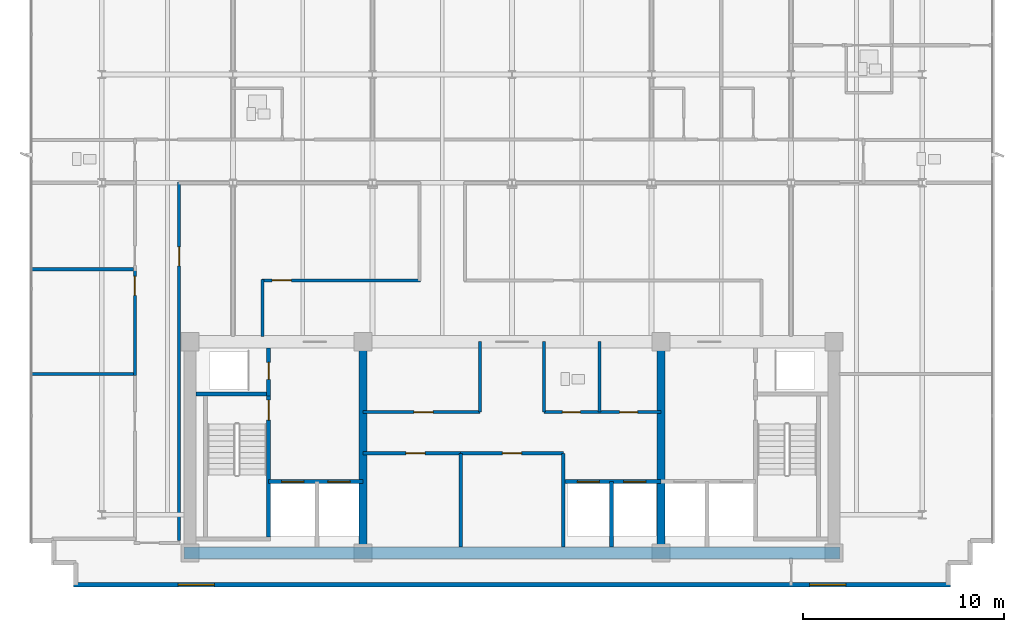
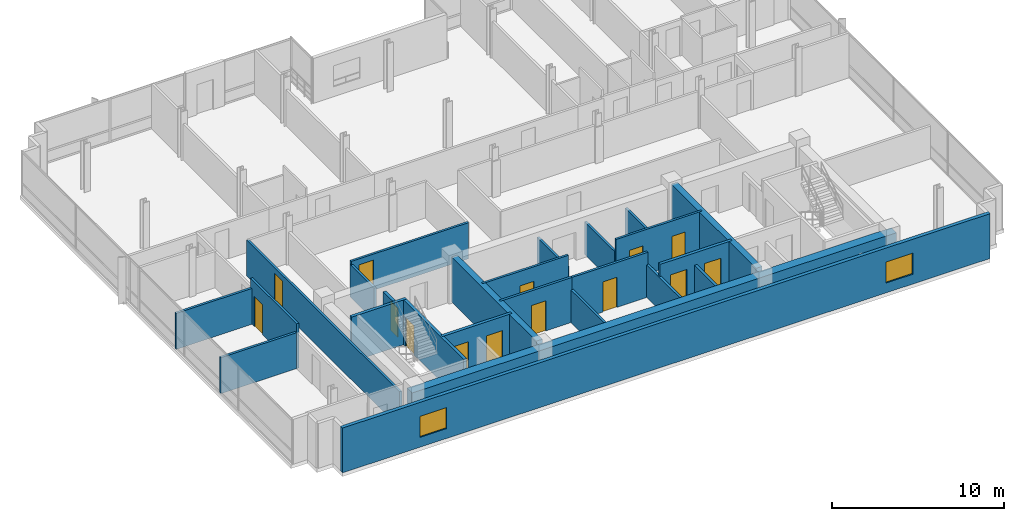
# One storey, part 11 of 17: 25 walls, 14 doors, 2 windows, 16 openings.
"""IFC4 building model written with IfcOpenShell, lengths in metres."""

from ifc_helpers import new_model, si_unit, direction, frame, frame_2d, origin, place, context, subcontext, project, spatial, rectangle, extrude, material, layer, layer_set, type_object, element, fill, save


model = new_model("IFC4")

# Units and contexts
model_context = context("Model", 3, precision=1e-05, world=origin(), true_north=direction((0.0, 1.0)))
body_context = subcontext(model_context, "Body", "Model", "MODEL_VIEW")
ifc_project = project(units=[si_unit("LENGTHUNIT", "METRE"), si_unit("AREAUNIT", "SQUARE_METRE"), si_unit("VOLUMEUNIT", "CUBIC_METRE"), si_unit("PLANEANGLEUNIT", "RADIAN"), si_unit("MASSUNIT", "GRAM", prefix="KILO")], contexts=[model_context])

# Site, building, storey
site_placement = place(None, origin())
site = spatial("IfcSite", under=ifc_project, at=site_placement, CompositionType="ELEMENT")
building_placement = place(site_placement, origin())
building = spatial("IfcBuilding", under=site, at=building_placement, Name="Solmavex Isthmus Hotel", CompositionType="ELEMENT")
storey_placement = place(building_placement, frame((0.0, 0.0, 269.550048828125)))
storey = spatial("IfcBuildingStorey", under=building, at=storey_placement, Name="L73", CompositionType="ELEMENT", Elevation=269.550048828125)

# Wall, openings, windows
ifc_material_1 = material(Name="Precast Concrete C40/50", Category="concrete")
ifc_layer_1 = layer(ifc_material_1, 0.25)
ifc_layer_set_1 = layer_set([ifc_layer_1], Name="Precast Concrete C40/50")
wall_type_1 = type_object("IfcWallType", Name="EW-TWR-250", PredefinedType="STANDARD", material=ifc_layer_set_1)
wall_1_placement = place(storey_placement, frame((-21.800048828125, -14.580078125, 0.0), z_axis=(0.0, 0.0, 1.0), x_axis=(1.0, 0.0, 0.0)))
wall_1 = element("IfcWall", 1, at=wall_1_placement, inside=storey, type_object=wall_type_1, Name="Tower Rear South Facade Wall L73", PredefinedType="STANDARD", context=body_context, shape_type="SweptSolid", body=[
    extrude(rectangle(XDim=43.60009765625, YDim=0.239990234375, at=frame_2d((21.800048828125, 0.0))), origin(), (0.0, 0.0, 1.0), 3.18994140625),
])
opening_1_placement = place(wall_1_placement, frame((5.2041015625, 0.0, 0.699951171875)))
opening_1 = element("IfcOpeningElement", 2, at=opening_1_placement, cuts=wall_1, Name="Opening WN-02", PredefinedType="OPENING", context=body_context, shape_type="SweptSolid", body=[
    extrude(rectangle(XDim=1.800048828125, YDim=1.5, at=frame_2d((0.89990234375, 0.75))), frame((0.0, 0.1298828125, 0.0), z_axis=(0.0, -1.0, 0.0), x_axis=(1.0, 0.0, 0.0)), (0.0, 0.0, 1.0), 0.260009765625),
])
opening_2_placement = place(wall_1_placement, frame((36.595947265625, 0.0, 0.699951171875)))
opening_2 = element("IfcOpeningElement", 3, at=opening_2_placement, cuts=wall_1, Name="Opening WN-02", PredefinedType="OPENING", context=body_context, shape_type="SweptSolid", body=[
    extrude(rectangle(XDim=1.800048828125, YDim=1.5, at=frame_2d((0.89990234375, 0.75))), frame((0.0, 0.1298828125, 0.0), z_axis=(0.0, -1.0, 0.0), x_axis=(1.0, 0.0, 0.0)), (0.0, 0.0, 1.0), 0.260009765625),
])
ifc_material_2 = material(Name="Clear low-E laminated glass", Category="glass")
window_type = type_object("IfcWindowType", Name="WIN-TWR-1800", PartitioningType="SINGLE_PANEL", PredefinedType="WINDOW", material=ifc_material_2)
window_1_placement = place(opening_1_placement, origin())
window_1 = element("IfcWindow", 4, at=window_1_placement, inside=storey, type_object=window_type, Name="South Facade Vision Window L73-S1", OverallHeight=1.5, OverallWidth=1.800048828125, PartitioningType="SINGLE_PANEL", PredefinedType="WINDOW", context=body_context, shape_type="SweptSolid", body=[
    extrude(rectangle(XDim=1.800048828125, YDim=1.5, at=frame_2d((0.89990234375, 0.75))), frame((0.0, 0.030029296875, 0.0), z_axis=(0.0, -1.0, 0.0), x_axis=(1.0, 0.0, 0.0)), (0.0, 0.0, 1.0), 0.06005859375),
])
fill(opening_1, window_1)
window_2_placement = place(opening_2_placement, origin())
window_2 = element("IfcWindow", 5, at=window_2_placement, inside=storey, type_object=window_type, Name="South Facade Vision Window L73-S2", OverallHeight=1.5, OverallWidth=1.800048828125, PartitioningType="SINGLE_PANEL", PredefinedType="WINDOW", context=body_context, shape_type="SweptSolid", body=[
    extrude(rectangle(XDim=1.800048828125, YDim=1.5, at=frame_2d((0.89990234375, 0.75))), frame((0.0, 0.030029296875, 0.0), z_axis=(0.0, -1.0, 0.0), x_axis=(1.0, 0.0, 0.0)), (0.0, 0.0, 1.0), 0.06005859375),
])
fill(opening_2, window_2)

# Wall, opening, door
ifc_material_3 = material(Name="Gypsum plasterboard lining", Category="gypsum")
ifc_layer_2 = layer(ifc_material_3, 0.159912109375)
ifc_layer_set_2 = layer_set([ifc_layer_2], Name="Gypsum plasterboard lining")
wall_type_2 = type_object("IfcWallType", Name="IW-COMP-160", PredefinedType="PARTITIONING", material=ifc_layer_set_2)
wall_2_placement = place(storey_placement, frame((-7.39990234375, -8.050048828125, 0.0), z_axis=(0.0, 0.0, 1.0), x_axis=(1.0, 0.0, 0.0)))
wall_2 = element("IfcWall", 6, at=wall_2_placement, inside=storey, type_object=wall_type_2, Name="Interior Partition Wall W-L73-REC-PLL-N", PredefinedType="PARTITIONING", context=body_context, shape_type="SweptSolid", body=[
    extrude(rectangle(XDim=4.849853515625, YDim=0.159912109375, at=frame_2d((2.4248046875, 0.0))), origin(), (0.0, 0.0, 1.0), 3.18994140625),
])
opening_3_placement = place(wall_2_placement, frame((2.125, 0.0, 0.0)))
opening_3 = element("IfcOpeningElement", 7, at=opening_3_placement, cuts=wall_2, Name="Opening ID-C095", PredefinedType="OPENING", context=body_context, shape_type="SweptSolid", body=[
    extrude(rectangle(XDim=0.949951171875, YDim=2.14990234375, at=frame_2d((0.47509765625, 1.074951171875))), frame((0.0, 0.08984375, 0.0), z_axis=(0.0, -1.0, 0.0), x_axis=(1.0, 0.0, 0.0)), (0.0, 0.0, 1.0), 0.179931640625),
])
ifc_material_4 = material(Name="Hardwood timber", Category="wood")
door_type_1 = type_object("IfcDoorType", Name="IDR-FD60-0950", OperationType="NOTDEFINED", PredefinedType="DOOR", material=ifc_material_4)
door_1_placement = place(opening_3_placement, origin())
door_1 = element("IfcDoor", 8, at=door_1_placement, inside=storey, type_object=door_type_1, Name="Linen Reserve Door L73", OperationType="SINGLE_SWING_LEFT", OverallHeight=2.14990234375, OverallWidth=0.949951171875, PredefinedType="DOOR", context=body_context, shape_type="SweptSolid", body=[
    extrude(rectangle(XDim=0.949951171875, YDim=2.14990234375, at=frame_2d((0.47509765625, 1.074951171875))), frame((0.0, 0.02490234375, 0.0), z_axis=(0.0, -1.0, 0.0), x_axis=(1.0, 0.0, 0.0)), (0.0, 0.0, 1.0), 0.050048828125),
])
fill(opening_3, door_1)

# Wall
wall_3_placement = place(storey_placement, frame((-2.550048828125, -12.699951171875, 0.0), z_axis=(0.0, 0.0, 1.0), x_axis=(0.0, 1.0, 0.0)))
element("IfcWall", 9, at=wall_3_placement, inside=storey, type_object=wall_type_2, Name="Interior Partition Wall W-L73-REC-PLL-E", PredefinedType="PARTITIONING", context=body_context, shape_type="SweptSolid", body=[
    extrude(rectangle(XDim=4.64990234375, YDim=0.159912109375, at=frame_2d((2.324951171875, 0.0))), origin(), (0.0, 0.0, 1.0), 2.324951171875),
])

# Wall, opening, door
wall_4_placement = place(storey_placement, frame((-2.550048828125, -8.050048828125, 0.0), z_axis=(0.0, 0.0, 1.0), x_axis=(1.0, 0.0, 0.0)))
wall_4 = element("IfcWall", 10, at=wall_4_placement, inside=storey, type_object=wall_type_2, Name="Interior Partition Wall W-L73-REC-PLM-N", PredefinedType="PARTITIONING", context=body_context, shape_type="SweptSolid", body=[
    extrude(rectangle(XDim=5.10009765625, YDim=0.159912109375, at=frame_2d((2.550048828125, 0.0))), origin(), (0.0, 0.0, 1.0), 3.18994140625),
])
opening_4_placement = place(wall_4_placement, frame((2.074951171875, 0.0, 0.0)))
opening_4 = element("IfcOpeningElement", 11, at=opening_4_placement, cuts=wall_4, Name="Opening ID-C095", PredefinedType="OPENING", context=body_context, shape_type="SweptSolid", body=[
    extrude(rectangle(XDim=0.949951171875, YDim=2.14990234375, at=frame_2d((0.47509765625, 1.074951171875))), frame((0.0, 0.08984375, 0.0), z_axis=(0.0, -1.0, 0.0), x_axis=(1.0, 0.0, 0.0)), (0.0, 0.0, 1.0), 0.179931640625),
])
door_2_placement = place(opening_4_placement, origin())
door_2 = element("IfcDoor", 12, at=door_2_placement, inside=storey, type_object=door_type_1, Name="Butler Store Door L73", OperationType="SINGLE_SWING_RIGHT", OverallHeight=2.14990234375, OverallWidth=0.949951171875, PredefinedType="DOOR", context=body_context, shape_type="SweptSolid", body=[
    extrude(rectangle(XDim=0.949951171875, YDim=2.14990234375, at=frame_2d((0.47509765625, 1.074951171875))), frame((0.0, 0.02490234375, 0.0), z_axis=(0.0, -1.0, 0.0), x_axis=(1.0, 0.0, 0.0)), (0.0, 0.0, 1.0), 0.050048828125),
])
fill(opening_4, door_2)

# Walls
wall_5_placement = place(storey_placement, frame((2.550048828125, -12.699951171875, 0.0), z_axis=(0.0, 0.0, 1.0), x_axis=(0.0, 1.0, 0.0)))
element("IfcWall", 13, at=wall_5_placement, inside=storey, type_object=wall_type_2, Name="Interior Partition Wall W-L73-REC-PLM-E", PredefinedType="PARTITIONING", context=body_context, shape_type="SweptSolid", body=[
    extrude(rectangle(XDim=4.64990234375, YDim=0.159912109375, at=frame_2d((2.324951171875, 0.0))), origin(), (0.0, 0.0, 1.0), 2.324951171875),
])
for number, where, z_axis, x_axis, name in (
    (14, (-18.7099609375, 1.10009765625, 0.0), (0.0, 0.0, 1.0), (-1.0, 0.0, 0.0), "Interior Partition Wall W-L73-P067"),
    (15, (-18.7099609375, -4.10009765625, 0.0), (0.0, 0.0, 1.0), (-1.0, 0.0, 0.0), "Interior Partition Wall W-L73-P069"),
):
    element("IfcWall", number, at=place(storey_placement, frame(where, z_axis=z_axis, x_axis=x_axis)), inside=storey, type_object=wall_type_2, Name=name, PredefinedType="PARTITIONING", context=body_context, shape_type="SweptSolid", body=[
        extrude(rectangle(XDim=5.2099609375, YDim=0.159912109375, at=frame_2d((2.60498046875, 0.0))), origin(), (0.0, 0.0, 1.0), 2.557373046875),
    ])

# Wall, opening, door
ifc_layer_3 = layer(ifc_material_3, 0.14990234375)
ifc_layer_set_3 = layer_set([ifc_layer_3], Name="Gypsum plasterboard lining")
wall_type_3 = type_object("IfcWallType", Name="IW-CORR-150", PredefinedType="PARTITIONING", material=ifc_layer_set_3)
wall_6_placement = place(storey_placement, frame((-7.39990234375, -6.0, 0.0), z_axis=(0.0, 0.0, 1.0), x_axis=(1.0, 0.0, 0.0)))
wall_6 = element("IfcWall", 16, at=wall_6_placement, inside=storey, type_object=wall_type_3, Name="Interior Partition Wall W-L73-BOH-WS", PredefinedType="PARTITIONING", context=body_context, shape_type="SweptSolid", body=[
    extrude(rectangle(XDim=5.7998046875, YDim=0.14990234375, at=frame_2d((2.89990234375, 0.0))), origin(), (0.0, 0.0, 1.0), 3.18994140625),
])
opening_5_placement = place(wall_6_placement, frame((2.52490234375, 0.0, 0.0)))
opening_5 = element("IfcOpeningElement", 17, at=opening_5_placement, cuts=wall_6, Name="Opening ID-C095", PredefinedType="OPENING", context=body_context, shape_type="SweptSolid", body=[
    extrude(rectangle(XDim=0.949951171875, YDim=2.14990234375, at=frame_2d((0.47509765625, 1.074951171875))), frame((0.0, 0.0849609375, 0.0), z_axis=(0.0, -1.0, 0.0), x_axis=(1.0, 0.0, 0.0)), (0.0, 0.0, 1.0), 0.169921875),
])
door_3_placement = place(opening_5_placement, frame((0.949951171875, 0.0, 0.0), z_axis=(0.0, 0.0, 1.0), x_axis=(-1.0, 0.0, 0.0)))
door_3 = element("IfcDoor", 18, at=door_3_placement, inside=storey, type_object=door_type_1, Name="Housekeeping Room Door L73", OperationType="SINGLE_SWING_LEFT", OverallHeight=2.14990234375, OverallWidth=0.949951171875, PredefinedType="DOOR", context=body_context, shape_type="SweptSolid", body=[
    extrude(rectangle(XDim=0.949951171875, YDim=2.14990234375, at=frame_2d((0.47509765625, 1.074951171875))), frame((0.0, 0.02490234375, 0.0), z_axis=(0.0, -1.0, 0.0), x_axis=(1.0, 0.0, 0.0)), (0.0, 0.0, 1.0), 0.050048828125),
])
fill(opening_5, door_3)

# Wall
wall_7_placement = place(storey_placement, frame((-1.60009765625, -6.0, 0.0), z_axis=(0.0, 0.0, 1.0), x_axis=(0.0, 1.0, 0.0)))
element("IfcWall", 19, at=wall_7_placement, inside=storey, type_object=wall_type_3, Name="Interior Partition Wall W-L73-BOH-WE", PredefinedType="PARTITIONING", context=body_context, shape_type="SweptSolid", body=[
    extrude(rectangle(XDim=3.5, YDim=0.14990234375, at=frame_2d((1.75, 0.0))), origin(), (0.0, 0.0, 1.0), 2.324951171875),
])

# Wall, openings, doors
wall_8_placement = place(storey_placement, frame((1.60009765625, -6.0, 0.0), z_axis=(0.0, 0.0, 1.0), x_axis=(1.0, 0.0, 0.0)))
wall_8 = element("IfcWall", 20, at=wall_8_placement, inside=storey, type_object=wall_type_3, Name="Interior Partition Wall W-L73-BOH-ES", PredefinedType="PARTITIONING", context=body_context, shape_type="SweptSolid", body=[
    extrude(rectangle(XDim=5.7998046875, YDim=0.14990234375, at=frame_2d((2.89990234375, 0.0))), origin(), (0.0, 0.0, 1.0), 3.18994140625),
])
opening_6_placement = place(wall_8_placement, frame((0.89990234375, 0.0, 0.0)))
opening_6 = element("IfcOpeningElement", 21, at=opening_6_placement, cuts=wall_8, Name="Opening ID-C090", PredefinedType="OPENING", context=body_context, shape_type="SweptSolid", body=[
    extrude(rectangle(XDim=0.89990234375, YDim=2.10009765625, at=frame_2d((0.449951171875, 1.050048828125))), frame((0.0, 0.0849609375, 0.0), z_axis=(0.0, -1.0, 0.0), x_axis=(1.0, 0.0, 0.0)), (0.0, 0.0, 1.0), 0.169921875),
])
opening_7_placement = place(wall_8_placement, frame((3.75, 0.0, 0.0)))
opening_7 = element("IfcOpeningElement", 22, at=opening_7_placement, cuts=wall_8, Name="Opening ID-C090", PredefinedType="OPENING", context=body_context, shape_type="SweptSolid", body=[
    extrude(rectangle(XDim=0.89990234375, YDim=2.10009765625, at=frame_2d((0.449951171875, 1.050048828125))), frame((0.0, 0.0849609375, 0.0), z_axis=(0.0, -1.0, 0.0), x_axis=(1.0, 0.0, 0.0)), (0.0, 0.0, 1.0), 0.169921875),
])
door_type_2 = type_object("IfcDoorType", Name="IDR-FD60-0900", OperationType="NOTDEFINED", PredefinedType="DOOR", material=ifc_material_4)
door_4_placement = place(opening_6_placement, frame((0.89990234375, 0.0, 0.0), z_axis=(0.0, 0.0, 1.0), x_axis=(-1.0, 0.0, 0.0)))
door_4 = element("IfcDoor", 23, at=door_4_placement, inside=storey, type_object=door_type_2, Name="Staff WC Door L73", OperationType="SINGLE_SWING_RIGHT", OverallHeight=2.10009765625, OverallWidth=0.89990234375, PredefinedType="DOOR", context=body_context, shape_type="SweptSolid", body=[
    extrude(rectangle(XDim=0.89990234375, YDim=2.10009765625, at=frame_2d((0.449951171875, 1.050048828125))), frame((0.0, 0.02490234375, 0.0), z_axis=(0.0, -1.0, 0.0), x_axis=(1.0, 0.0, 0.0)), (0.0, 0.0, 1.0), 0.050048828125),
])
fill(opening_6, door_4)
door_5_placement = place(opening_7_placement, frame((0.89990234375, 0.0, 0.0), z_axis=(0.0, 0.0, 1.0), x_axis=(-1.0, 0.0, 0.0)))
door_5 = element("IfcDoor", 24, at=door_5_placement, inside=storey, type_object=door_type_2, Name="Pantry Door L73", OperationType="SINGLE_SWING_LEFT", OverallHeight=2.10009765625, OverallWidth=0.89990234375, PredefinedType="DOOR", context=body_context, shape_type="SweptSolid", body=[
    extrude(rectangle(XDim=0.89990234375, YDim=2.10009765625, at=frame_2d((0.449951171875, 1.050048828125))), frame((0.0, 0.02490234375, 0.0), z_axis=(0.0, -1.0, 0.0), x_axis=(1.0, 0.0, 0.0)), (0.0, 0.0, 1.0), 0.050048828125),
])
fill(opening_7, door_5)

# Wall
wall_9_placement = place(storey_placement, frame((1.60009765625, -6.0, 0.0), z_axis=(0.0, 0.0, 1.0), x_axis=(0.0, 1.0, 0.0)))
element("IfcWall", 25, at=wall_9_placement, inside=storey, type_object=wall_type_3, Name="Interior Partition Wall W-L73-BOH-EW", PredefinedType="PARTITIONING", context=body_context, shape_type="SweptSolid", body=[
    extrude(rectangle(XDim=3.5, YDim=0.14990234375, at=frame_2d((1.75, 0.0))), origin(), (0.0, 0.0, 1.0), 2.324951171875),
])

# Wall, opening, door
wall_10_placement = place(storey_placement, frame((-16.550048828125, 5.43994140625, 0.0), z_axis=(0.0, 0.0, 1.0), x_axis=(0.0, -1.0, 0.0)))
wall_10 = element("IfcWall", 26, at=wall_10_placement, inside=storey, type_object=wall_type_3, Name="Interior Partition Wall W-L73-P014", PredefinedType="PARTITIONING", context=body_context, shape_type="SweptSolid", body=[
    extrude(rectangle(XDim=17.822021484375, YDim=0.14990234375, at=frame_2d((8.9111328125, 0.0))), origin(), (0.0, 0.0, 1.0), 2.557373046875),
])
opening_8_placement = place(wall_10_placement, frame((3.219970703125, 0.0, 0.0)))
opening_8 = element("IfcOpeningElement", 27, at=opening_8_placement, cuts=wall_10, Name="Opening ID-C095", PredefinedType="OPENING", context=body_context, shape_type="SweptSolid", body=[
    extrude(rectangle(XDim=0.949951171875, YDim=2.14990234375, at=frame_2d((0.47509765625, 1.074951171875))), frame((0.0, 0.0849609375, 0.0), z_axis=(0.0, -1.0, 0.0), x_axis=(1.0, 0.0, 0.0)), (0.0, 0.0, 1.0), 0.169921875),
])
door_6_placement = place(opening_8_placement, frame((0.949951171875, 0.0, 0.0), z_axis=(0.0, 0.0, 1.0), x_axis=(-1.0, 0.0, 0.0)))
door_6 = element("IfcDoor", 28, at=door_6_placement, inside=storey, type_object=door_type_1, Name="Executive Boardroom Door L73-16", OperationType="SINGLE_SWING_RIGHT", OverallHeight=2.14990234375, OverallWidth=0.949951171875, PredefinedType="DOOR", context=body_context, shape_type="SweptSolid", body=[
    extrude(rectangle(XDim=0.949951171875, YDim=2.14990234375, at=frame_2d((0.47509765625, 1.074951171875))), frame((0.0, 0.02490234375, 0.0), z_axis=(0.0, -1.0, 0.0), x_axis=(1.0, 0.0, 0.0)), (0.0, 0.0, 1.0), 0.050048828125),
])
fill(opening_8, door_6)

wall_11_placement = place(storey_placement, frame((-18.75, -4.181884765625, 0.0), z_axis=(0.0, 0.0, 1.0), x_axis=(0.0, 1.0, 0.0)))
wall_11 = element("IfcWall", 29, at=wall_11_placement, inside=storey, type_object=wall_type_3, Name="Interior Partition Wall W-L73-P015", PredefinedType="PARTITIONING", context=body_context, shape_type="SweptSolid", body=[
    extrude(rectangle(XDim=5.36376953125, YDim=0.14990234375, at=frame_2d((2.681884765625, 0.0))), origin(), (0.0, 0.0, 1.0), 3.18994140625),
])
opening_9_placement = place(wall_11_placement, frame((3.982421875, 0.0, 0.0)))
opening_9 = element("IfcOpeningElement", 30, at=opening_9_placement, cuts=wall_11, Name="Opening ID-C095", PredefinedType="OPENING", context=body_context, shape_type="SweptSolid", body=[
    extrude(rectangle(XDim=0.949951171875, YDim=2.14990234375, at=frame_2d((0.47509765625, 1.074951171875))), frame((0.0, 0.0849609375, 0.0), z_axis=(0.0, -1.0, 0.0), x_axis=(1.0, 0.0, 0.0)), (0.0, 0.0, 1.0), 0.169921875),
])
door_7_placement = place(opening_9_placement, origin())
door_7 = element("IfcDoor", 31, at=door_7_placement, inside=storey, type_object=door_type_1, Name="Reading Library Door L73-17", OperationType="SINGLE_SWING_LEFT", OverallHeight=2.14990234375, OverallWidth=0.949951171875, PredefinedType="DOOR", context=body_context, shape_type="SweptSolid", body=[
    extrude(rectangle(XDim=0.949951171875, YDim=2.14990234375, at=frame_2d((0.47509765625, 1.074951171875))), frame((0.0, 0.02490234375, 0.0), z_axis=(0.0, -1.0, 0.0), x_axis=(1.0, 0.0, 0.0)), (0.0, 0.0, 1.0), 0.050048828125),
])
fill(opening_9, door_7)

# Wall
wall_12_placement = place(storey_placement, frame((-12.39990234375, -2.239990234375, 0.0), z_axis=(0.0, 0.0, 1.0), x_axis=(0.0, 1.0, 0.0)))
element("IfcWall", 32, at=wall_12_placement, inside=storey, type_object=wall_type_3, Name="Interior Partition Wall W-L73-P017", PredefinedType="PARTITIONING", context=body_context, shape_type="SweptSolid", body=[
    extrude(rectangle(XDim=2.830078125, YDim=0.14990234375, at=frame_2d((1.4150390625, 0.0))), origin(), (0.0, 0.0, 1.0), 2.324951171875),
])

# Wall, opening, door
wall_13_placement = place(storey_placement, frame((-12.43994140625, 0.550048828125, 0.0), z_axis=(0.0, 0.0, 1.0), x_axis=(1.0, 0.0, 0.0)))
wall_13 = element("IfcWall", 33, at=wall_13_placement, inside=storey, type_object=wall_type_3, Name="Interior Partition Wall W-L73-P018", PredefinedType="PARTITIONING", context=body_context, shape_type="SweptSolid", body=[
    extrude(rectangle(XDim=7.891845703125, YDim=0.14990234375, at=frame_2d((3.94580078125, 0.0))), origin(), (0.0, 0.0, 1.0), 2.572265625),
])
opening_10_placement = place(wall_13_placement, frame((0.51806640625, 0.0, 0.0)))
opening_10 = element("IfcOpeningElement", 34, at=opening_10_placement, cuts=wall_13, Name="Opening ID-C095", PredefinedType="OPENING", context=body_context, shape_type="SweptSolid", body=[
    extrude(rectangle(XDim=0.949951171875, YDim=2.14990234375, at=frame_2d((0.47509765625, 1.074951171875))), frame((0.0, 0.0849609375, 0.0), z_axis=(0.0, -1.0, 0.0), x_axis=(1.0, 0.0, 0.0)), (0.0, 0.0, 1.0), 0.169921875),
])
door_8_placement = place(opening_10_placement, origin())
door_8 = element("IfcDoor", 35, at=door_8_placement, inside=storey, type_object=door_type_1, Name="Reading Library Door L73-19", OperationType="SINGLE_SWING_LEFT", OverallHeight=2.14990234375, OverallWidth=0.949951171875, PredefinedType="DOOR", context=body_context, shape_type="SweptSolid", body=[
    extrude(rectangle(XDim=0.949951171875, YDim=2.14990234375, at=frame_2d((0.47509765625, 1.074951171875))), frame((0.0, 0.02490234375, 0.0), z_axis=(0.0, -1.0, 0.0), x_axis=(1.0, 0.0, 0.0)), (0.0, 0.0, 1.0), 0.050048828125),
])
fill(opening_10, door_8)

# Walls
ifc_layer_4 = layer(ifc_material_3, 0.1201171875)
ifc_layer_set_4 = layer_set([ifc_layer_4], Name="Gypsum plasterboard lining")
wall_type_4 = type_object("IfcWallType", Name="IW-PART-120", PredefinedType="PARTITIONING", material=ifc_layer_set_4)
wall_14_placement = place(storey_placement, frame((4.35009765625, -6.0, 0.0), z_axis=(0.0, 0.0, 1.0), x_axis=(0.0, 1.0, 0.0)))
element("IfcWall", 36, at=wall_14_placement, inside=storey, type_object=wall_type_4, Name="Interior Partition Wall W-L73-BOH-EM0", PredefinedType="PARTITIONING", context=body_context, shape_type="SweptSolid", body=[
    extrude(rectangle(XDim=3.5, YDim=0.14990234375, at=frame_2d((1.75, 0.0))), origin(), (0.0, 0.0, 1.0), 2.324951171875),
])
ifc_material_5 = material(Name="Concrete C40/50", Category="concrete")
ifc_layer_5 = layer(ifc_material_5, 0.179931640625)
ifc_layer_set_5 = layer_set([ifc_layer_5], Name="Concrete C40/50")
wall_type_5 = type_object("IfcWallType", Name="IW-SHAFT-180", PredefinedType="PARTITIONING", material=ifc_layer_set_5)
wall_15_placement = place(storey_placement, frame((4.949951171875, -12.699951171875, 0.0), z_axis=(0.0, 0.0, 1.0), x_axis=(0.0, 1.0, 0.0)))
element("IfcWall", 37, at=wall_15_placement, inside=storey, type_object=wall_type_5, Name="Interior Partition Wall W-L73-SH-PLH-M", PredefinedType="PARTITIONING", context=body_context, shape_type="SweptSolid", body=[
    extrude(rectangle(XDim=3.25, YDim=0.179931640625, at=frame_2d((1.625, 0.0))), origin(), (0.0, 0.0, 1.0), 2.324951171875),
])

# Wall, opening, door
ifc_layer_6 = layer(ifc_material_5, 0.199951171875)
ifc_layer_set_6 = layer_set([ifc_layer_6], Name="Concrete C40/50")
wall_type_6 = type_object("IfcWallType", Name="IW-SHAFT-200", PredefinedType="PARTITIONING", material=ifc_layer_set_6)
wall_16_placement = place(storey_placement, frame((-12.10009765625, -5.199951171875, 0.0), z_axis=(0.0, 0.0, 1.0), x_axis=(0.0, 1.0, 0.0)))
wall_16 = element("IfcWall", 38, at=wall_16_placement, inside=storey, type_object=wall_type_6, Name="Interior Partition Wall W-L73-RSW-E", PredefinedType="PARTITIONING", context=body_context, shape_type="SweptSolid", body=[
    extrude(rectangle(XDim=2.39990234375, YDim=0.199951171875, at=frame_2d((1.199951171875, 0.0))), origin(), (0.0, 0.0, 1.0), 2.324951171875),
])
opening_11_placement = place(wall_16_placement, frame((0.824951171875, 0.0, 0.0)))
opening_11 = element("IfcOpeningElement", 39, at=opening_11_placement, cuts=wall_16, Name="Opening ID-R085", PredefinedType="OPENING", context=body_context, shape_type="SweptSolid", body=[
    extrude(rectangle(XDim=0.85009765625, YDim=2.050048828125, at=frame_2d((0.425048828125, 1.02490234375))), frame((0.0, 0.10986328125, 0.0), z_axis=(0.0, -1.0, 0.0), x_axis=(1.0, 0.0, 0.0)), (0.0, 0.0, 1.0), 0.219970703125),
])
ifc_material_6 = material(Name="Steel ASTM A500 Grade C", Category="steel")
door_type_3 = type_object("IfcDoorType", Name="IDR-FD60-0850", OperationType="NOTDEFINED", PredefinedType="DOOR", material=ifc_material_6)
door_9_placement = place(opening_11_placement, origin())
door_9 = element("IfcDoor", 40, at=door_9_placement, inside=storey, type_object=door_type_3, Name="Electrical Riser Door L73", OperationType="SINGLE_SWING_RIGHT", OverallHeight=2.050048828125, OverallWidth=0.85009765625, PredefinedType="DOOR", context=body_context, shape_type="SweptSolid", body=[
    extrude(rectangle(XDim=0.85009765625, YDim=2.050048828125, at=frame_2d((0.425048828125, 1.02490234375))), frame((0.0, 0.02490234375, 0.0), z_axis=(0.0, -1.0, 0.0), x_axis=(1.0, 0.0, 0.0)), (0.0, 0.0, 1.0), 0.050048828125),
])
fill(opening_11, door_9)

# Wall, openings, doors
wall_17_placement = place(storey_placement, frame((-12.10009765625, -9.449951171875, 0.0), z_axis=(0.0, 0.0, 1.0), x_axis=(1.0, 0.0, 0.0)))
wall_17 = element("IfcWall", 41, at=wall_17_placement, inside=storey, type_object=wall_type_6, Name="Interior Partition Wall W-L73-FFLW-S", PredefinedType="PARTITIONING", context=body_context, shape_type="SweptSolid", body=[
    extrude(rectangle(XDim=4.7001953125, YDim=0.199951171875, at=frame_2d((2.35009765625, 0.0))), origin(), (0.0, 0.0, 1.0), 3.18994140625),
])
opening_12_placement = place(wall_17_placement, frame((0.64990234375, 0.0, 0.0)))
opening_12 = element("IfcOpeningElement", 42, at=opening_12_placement, cuts=wall_17, Name="Opening LD-FF", PredefinedType="OPENING", context=body_context, shape_type="SweptSolid", body=[
    extrude(rectangle(XDim=1.10009765625, YDim=2.199951171875, at=frame_2d((0.550048828125, 1.10009765625))), frame((0.0, 0.10986328125, 0.0), z_axis=(0.0, -1.0, 0.0), x_axis=(1.0, 0.0, 0.0)), (0.0, 0.0, 1.0), 0.219970703125),
])
opening_13_placement = place(wall_17_placement, frame((2.949951171875, 0.0, 0.0)))
opening_13 = element("IfcOpeningElement", 43, at=opening_13_placement, cuts=wall_17, Name="Opening LD-SV", PredefinedType="OPENING", context=body_context, shape_type="SweptSolid", body=[
    extrude(rectangle(XDim=1.10009765625, YDim=2.199951171875, at=frame_2d((0.550048828125, 1.10009765625))), frame((0.0, 0.10986328125, 0.0), z_axis=(0.0, -1.0, 0.0), x_axis=(1.0, 0.0, 0.0)), (0.0, 0.0, 1.0), 0.219970703125),
])
ifc_material_7 = material(Name="Stainless steel 316", Category="steel")
door_type_4 = type_object("IfcDoorType", Name="LDR-FF-1100", OperationType="NOTDEFINED", PredefinedType="DOOR", material=ifc_material_7)
door_10_placement = place(opening_12_placement, origin())
door_10 = element("IfcDoor", 44, at=door_10_placement, inside=storey, type_object=door_type_4, Name="Lift Landing Door FFL-1 L73", OperationType="SLIDING_TO_LEFT", OverallHeight=2.199951171875, OverallWidth=1.10009765625, PredefinedType="DOOR", context=body_context, shape_type="SweptSolid", body=[
    extrude(rectangle(XDim=1.10009765625, YDim=2.199951171875, at=frame_2d((0.550048828125, 1.10009765625))), frame((0.0, 0.02490234375, 0.0), z_axis=(0.0, -1.0, 0.0), x_axis=(1.0, 0.0, 0.0)), (0.0, 0.0, 1.0), 0.050048828125),
])
fill(opening_12, door_10)
door_type_5 = type_object("IfcDoorType", Name="LDR-SV-1100", OperationType="NOTDEFINED", PredefinedType="DOOR", material=ifc_material_7)
door_11_placement = place(opening_13_placement, origin())
door_11 = element("IfcDoor", 45, at=door_11_placement, inside=storey, type_object=door_type_5, Name="Lift Landing Door SVL-1 L73", OperationType="SLIDING_TO_RIGHT", OverallHeight=2.199951171875, OverallWidth=1.10009765625, PredefinedType="DOOR", context=body_context, shape_type="SweptSolid", body=[
    extrude(rectangle(XDim=1.10009765625, YDim=2.199951171875, at=frame_2d((0.550048828125, 1.10009765625))), frame((0.0, 0.02490234375, 0.0), z_axis=(0.0, -1.0, 0.0), x_axis=(1.0, 0.0, 0.0)), (0.0, 0.0, 1.0), 0.050048828125),
])
fill(opening_13, door_11)

wall_18_placement = place(storey_placement, frame((2.550048828125, -9.449951171875, 0.0), z_axis=(0.0, 0.0, 1.0), x_axis=(1.0, 0.0, 0.0)))
wall_18 = element("IfcWall", 46, at=wall_18_placement, inside=storey, type_object=wall_type_6, Name="Interior Partition Wall W-L73-SH-PLH", PredefinedType="PARTITIONING", context=body_context, shape_type="SweptSolid", body=[
    extrude(rectangle(XDim=4.849853515625, YDim=0.199951171875, at=frame_2d((2.4248046875, 0.0))), origin(), (0.0, 0.0, 1.0), 3.18994140625),
])
opening_14_placement = place(wall_18_placement, frame((0.699951171875, 0.0, 0.0)))
opening_14 = element("IfcOpeningElement", 47, at=opening_14_placement, cuts=wall_18, Name="Opening LD-PL", PredefinedType="OPENING", context=body_context, shape_type="SweptSolid", body=[
    extrude(rectangle(XDim=1.10009765625, YDim=2.199951171875, at=frame_2d((0.550048828125, 1.10009765625))), frame((0.0, 0.10986328125, 0.0), z_axis=(0.0, -1.0, 0.0), x_axis=(1.0, 0.0, 0.0)), (0.0, 0.0, 1.0), 0.219970703125),
])
opening_15_placement = place(wall_18_placement, frame((3.0, 0.0, 0.0)))
opening_15 = element("IfcOpeningElement", 48, at=opening_15_placement, cuts=wall_18, Name="Opening LD-PL", PredefinedType="OPENING", context=body_context, shape_type="SweptSolid", body=[
    extrude(rectangle(XDim=1.10009765625, YDim=2.199951171875, at=frame_2d((0.550048828125, 1.10009765625))), frame((0.0, 0.10986328125, 0.0), z_axis=(0.0, -1.0, 0.0), x_axis=(1.0, 0.0, 0.0)), (0.0, 0.0, 1.0), 0.219970703125),
])
door_type_6 = type_object("IfcDoorType", Name="LDR-PL-1100", OperationType="NOTDEFINED", PredefinedType="DOOR", material=ifc_material_7)
door_12_placement = place(opening_14_placement, origin())
door_12 = element("IfcDoor", 49, at=door_12_placement, inside=storey, type_object=door_type_6, Name="Lift Landing Door PLH1 L73", OperationType="SLIDING_TO_LEFT", OverallHeight=2.199951171875, OverallWidth=1.10009765625, PredefinedType="DOOR", context=body_context, shape_type="SweptSolid", body=[
    extrude(rectangle(XDim=1.10009765625, YDim=2.199951171875, at=frame_2d((0.550048828125, 1.10009765625))), frame((0.0, 0.02490234375, 0.0), z_axis=(0.0, -1.0, 0.0), x_axis=(1.0, 0.0, 0.0)), (0.0, 0.0, 1.0), 0.050048828125),
])
fill(opening_14, door_12)
door_13_placement = place(opening_15_placement, origin())
door_13 = element("IfcDoor", 50, at=door_13_placement, inside=storey, type_object=door_type_6, Name="Lift Landing Door PLH2 L73", OperationType="SLIDING_TO_LEFT", OverallHeight=2.199951171875, OverallWidth=1.10009765625, PredefinedType="DOOR", context=body_context, shape_type="SweptSolid", body=[
    extrude(rectangle(XDim=1.10009765625, YDim=2.199951171875, at=frame_2d((0.550048828125, 1.10009765625))), frame((0.0, 0.02490234375, 0.0), z_axis=(0.0, -1.0, 0.0), x_axis=(1.0, 0.0, 0.0)), (0.0, 0.0, 1.0), 0.050048828125),
])
fill(opening_15, door_13)

# Walls
ifc_material_8 = material(Name="Concrete C50/60", Category="concrete")
ifc_layer_7 = layer(ifc_material_8, 0.39990234375)
ifc_layer_set_7 = layer_set([ifc_layer_7], Name="Concrete C50/60")
wall_type_7 = type_object("IfcWallType", Name="WALL-CW-400H", PredefinedType="SHEAR", material=ifc_layer_set_7)
for number, where, z_axis, x_axis, name in (
    (51, (-7.39990234375, -12.699951171875, 0.0), (0.0, 0.0, 1.0), (0.0, 1.0, 0.0), "Core Cross Shear Wall C1 L73"),
    (52, (7.39990234375, -12.699951171875, 0.0), (0.0, 0.0, 1.0), (0.0, 1.0, 0.0), "Core Cross Shear Wall C2 L73"),
):
    element("IfcWall", number, at=place(storey_placement, frame(where, z_axis=z_axis, x_axis=x_axis)), inside=storey, type_object=wall_type_7, Name=name, PredefinedType="SHEAR", context=body_context, shape_type="SweptSolid", body=[
        extrude(rectangle(XDim=9.89990234375, YDim=0.39990234375, at=frame_2d((4.949951171875, 0.0))), origin(), (0.0, 0.0, 1.0), 3.18994140625),
    ])
ifc_layer_8 = layer(ifc_material_8, 0.60009765625)
ifc_layer_set_8 = layer_set([ifc_layer_8], Name="Concrete C50/60")
wall_type_8 = type_object("IfcWallType", Name="WALL-CW-600", PredefinedType="SHEAR", material=ifc_layer_set_8)
wall_19_placement = place(storey_placement, frame((-16.300048828125, -13.0, 0.0), z_axis=(0.0, 0.0, 1.0), x_axis=(1.0, 0.0, 0.0)))
element("IfcWall", 53, at=wall_19_placement, inside=storey, type_object=wall_type_8, Name="Core Shear Wall South L73", PredefinedType="SHEAR", context=body_context, shape_type="SweptSolid", body=[
    extrude(rectangle(XDim=32.60009765625, YDim=0.60009765625, at=frame_2d((16.300048828125, 0.0))), origin(), (0.0, 0.0, 1.0), 2.909912109375),
])
ifc_layer_9 = layer(ifc_material_5, 0.199951171875)
ifc_layer_set_9 = layer_set([ifc_layer_9], Name="Concrete C40/50")
wall_type_9 = type_object("IfcWallType", Name="WALL-SW-200", PredefinedType="SOLIDWALL", material=ifc_layer_set_9)
wall_20_placement = place(storey_placement, frame((-15.699951171875, -5.10009765625, 0.0), z_axis=(0.0, 0.0, 1.0), x_axis=(1.0, 0.0, 0.0)))
element("IfcWall", 54, at=wall_20_placement, inside=storey, type_object=wall_type_9, Name="Stairwell Structural Wall SW-L73-ST1-N", PredefinedType="SOLIDWALL", context=body_context, shape_type="SweptSolid", body=[
    extrude(rectangle(XDim=3.699951171875, YDim=0.199951171875, at=frame_2d((1.85009765625, 0.0))), origin(), (0.0, 0.0, 1.0), 3.18994140625),
])

# Wall, opening, door
wall_21_placement = place(storey_placement, frame((-12.10009765625, -12.199951171875, 0.0), z_axis=(0.0, 0.0, 1.0), x_axis=(0.0, 1.0, 0.0)))
wall_21 = element("IfcWall", 55, at=wall_21_placement, inside=storey, type_object=wall_type_9, Name="Stairwell Structural Wall SW-L73-ST1-E", PredefinedType="SOLIDWALL", context=body_context, shape_type="SweptSolid", body=[
    extrude(rectangle(XDim=7.0, YDim=0.199951171875, at=frame_2d((3.5, 0.0))), origin(), (0.0, 0.0, 1.0), 3.18994140625),
])
opening_16_placement = place(wall_21_placement, frame((5.800048828125, 0.0, 0.0)))
opening_16 = element("IfcOpeningElement", 56, at=opening_16_placement, cuts=wall_21, Name="Opening ID-F100", PredefinedType="OPENING", context=body_context, shape_type="SweptSolid", body=[
    extrude(rectangle(XDim=1.0, YDim=2.10009765625, at=frame_2d((0.5, 1.050048828125))), frame((0.0, 0.10986328125, 0.0), z_axis=(0.0, -1.0, 0.0), x_axis=(1.0, 0.0, 0.0)), (0.0, 0.0, 1.0), 0.219970703125),
])
door_type_7 = type_object("IfcDoorType", Name="IDR-FD90-1000", OperationType="NOTDEFINED", PredefinedType="DOOR", material=ifc_material_6)
door_14_placement = place(opening_16_placement, frame((1.0, 0.0, 0.0), z_axis=(0.0, 0.0, 1.0), x_axis=(-1.0, 0.0, 0.0)))
door_14 = element("IfcDoor", 57, at=door_14_placement, inside=storey, type_object=door_type_7, Name="Stair ST-1 Fire Door L73", OperationType="SINGLE_SWING_LEFT", OverallHeight=2.10009765625, OverallWidth=1.0, PredefinedType="DOOR", context=body_context, shape_type="SweptSolid", body=[
    extrude(rectangle(XDim=1.0, YDim=2.10009765625, at=frame_2d((0.5, 1.050048828125))), frame((0.0, 0.02490234375, 0.0), z_axis=(0.0, -1.0, 0.0), x_axis=(1.0, 0.0, 0.0)), (0.0, 0.0, 1.0), 0.050048828125),
])
fill(opening_16, door_14)

save(model, "model.ifc")
